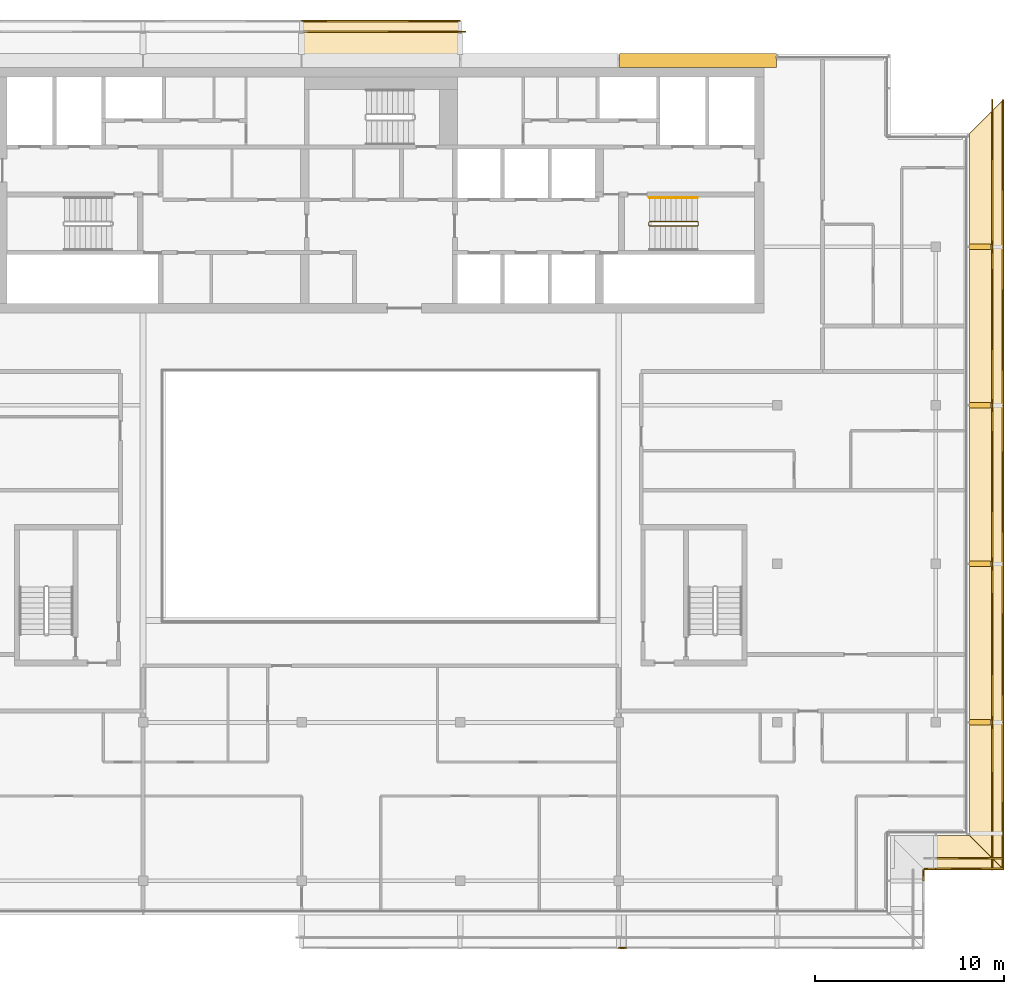
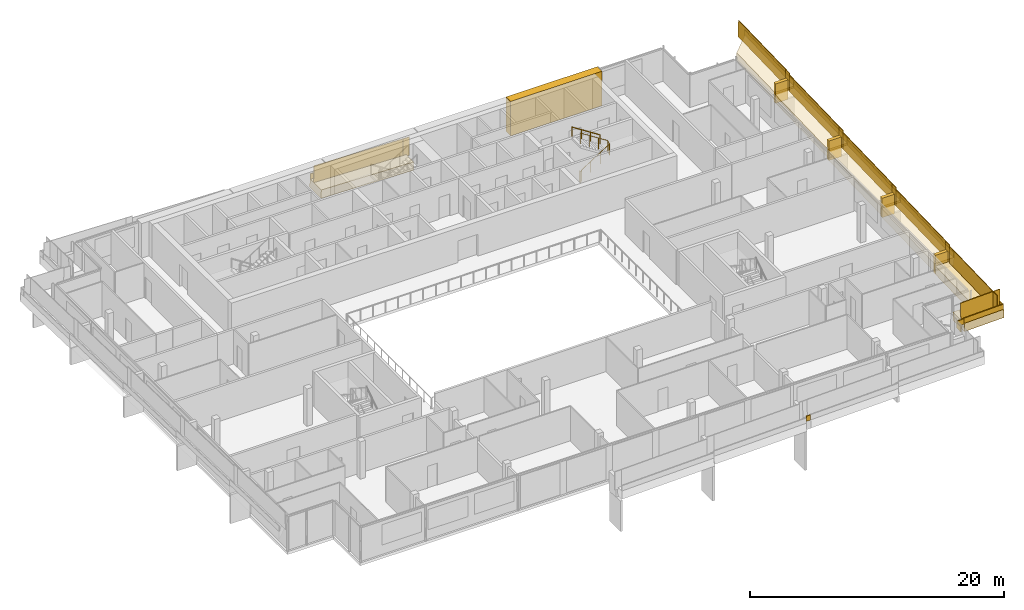
# One storey, part 25 of 26: 22 coverings, 14 railings.
"""IFC4 building model written with IfcOpenShell, lengths in metres."""

from ifc_helpers import new_model, si_unit, direction, frame, origin, origin_2d, place, context, subcontext, project, spatial, polyline, rectangle, circle, outline, extrude, material, layer, layer_set, type_object, element, save


model = new_model("IFC4")

# Units and contexts
model_context = context("Model", 3, precision=1e-05, world=origin(), true_north=direction((0.0, 1.0)))
body_context = subcontext(model_context, "Body", "Model", "MODEL_VIEW")
ifc_project = project(units=[si_unit("LENGTHUNIT", "METRE"), si_unit("AREAUNIT", "SQUARE_METRE"), si_unit("VOLUMEUNIT", "CUBIC_METRE"), si_unit("PLANEANGLEUNIT", "RADIAN"), si_unit("MASSUNIT", "GRAM", prefix="KILO")], contexts=[model_context])

# Site, building, storey
site_placement = place(None, origin())
site = spatial("IfcSite", under=ifc_project, at=site_placement, CompositionType="ELEMENT")
building_placement = place(site_placement, origin())
building = spatial("IfcBuilding", under=site, at=building_placement, Name="Saffron Gate Tower", CompositionType="ELEMENT")
storey_placement = place(building_placement, frame((0.0, 0.0, 277.949951171875)))
storey = spatial("IfcBuildingStorey", under=building, at=storey_placement, Name="L67", CompositionType="ELEMENT", Elevation=277.949951171875)

# Covering
ifc_material_1 = material(Name="Ceramic-printed bronze insulated panel")
ifc_layer_1 = layer(ifc_material_1, 0.739990234375)
ifc_layer_set_1 = layer_set([ifc_layer_1], Name="CLD5 ceramic-printed cladding panel 740")
covering_type_1 = type_object("IfcCoveringType", Name="CLD5 ceramic-printed cladding panel 740", PredefinedType="CLADDING", material=ifc_layer_set_1)
covering_1_placement = place(storey_placement, origin())
element("IfcCovering", 1, at=covering_1_placement, inside=storey, type_object=covering_type_1, Name="CLADDING ceramic-printed panel", PredefinedType="CLADDING", context=body_context, shape_type="SweptSolid", body=[
    extrude(outline(polyline([(108.56494140625, 75.639892578125), (100.235107421875, 75.639892578125), (100.235107421875, 74.89990234375), (108.56494140625, 74.89990234375), (108.56494140625, 75.639892578125)])), origin(), (0.0, 0.0, 1.0), 3.320068359375),
])

# Railings
ifc_material_2 = material(Name="Stainless steel and laminated glass", Category="steel")
railing_type_1 = type_object("IfcRailingType", Name="CR1 Stair guard 1100", PredefinedType="GUARDRAIL", material=ifc_material_2)
railing_1_placement = place(storey_placement, frame((101.800048828125, 66.699951171875, 0.0)))
element("IfcRailing", 2, at=railing_1_placement, inside=storey, type_object=railing_type_1, Name="L67 ST-B stair guard 1", PredefinedType="GUARDRAIL", context=body_context, shape_type="SweptSolid", body=[
    extrude(circle(Radius=0.02392578125, at=origin_2d()), frame((0.0, 0.0, 1.076171875), z_axis=(0.0, -1.0, 0.0), x_axis=(1.0, 0.0, 0.0)), (0.0, 0.0, 1.0), 0.14990234375),
    extrude(circle(Radius=0.02392578125, at=origin_2d()), frame((0.0, -0.14990234375, 1.076171875), z_axis=(0.258847668887, -0.258847668887, 0.930588936439), x_axis=(0.707106781187, 0.707106781187, 0.0)), (0.0, 0.0, 1.0), 0.193359375),
    extrude(circle(Radius=0.02392578125, at=origin_2d()), frame((0.050048828125, -0.199951171875, 1.255859375), z_axis=(0.841162588446, 0.0, 0.540782303519), x_axis=(0.0, 1.0, 0.0)), (0.0, 0.0, 1.0), 2.995849609375),
    extrude(circle(Radius=0.02392578125, at=origin_2d()), frame((2.570068359375, -0.199951171875, 2.8759765625), z_axis=(0.705375805398, 0.708833529934, 0.0), x_axis=(-0.708833529934, 0.705375805398, 0.0)), (0.0, 0.0, 1.0), 0.070556640625),
    extrude(circle(Radius=0.02392578125, at=origin_2d()), frame((2.619873046875, -0.14990234375, 2.8759765625), z_axis=(0.0, 1.0, 0.0), x_axis=(-1.0, 0.0, 0.0)), (0.0, 0.0, 1.0), 0.14990234375),
    extrude(circle(Radius=0.02392578125, at=origin_2d()), frame((2.619873046875, 0.0, 2.8759765625), z_axis=(-0.257669022063, 0.258932105505, 0.930892496375), x_axis=(-0.708833529934, -0.705375805398, 0.0)), (0.0, 0.0, 1.0), 0.193359375),
    extrude(circle(Radius=0.02392578125, at=origin_2d()), frame((2.570068359375, 0.050048828125, 3.05615234375), z_axis=(-0.841162588446, 0.0, 0.540782303519), x_axis=(0.0, -1.0, 0.0)), (0.0, 0.0, 1.0), 2.995849609375),
    extrude(circle(Radius=0.02099609375, at=origin_2d()), origin(), (0.0, 0.0, 1.0), 1.052001953125),
    extrude(circle(Radius=0.02099609375, at=origin_2d()), frame((0.0, -0.14990234375, 0.0)), (0.0, 0.0, 1.0), 1.052001953125),
    extrude(circle(Radius=0.02099609375, at=origin_2d()), frame((0.050048828125, -0.199951171875, 0.179931640625)), (0.0, 0.0, 1.0), 1.052001953125),
    extrude(circle(Radius=0.02099609375, at=origin_2d()), frame((0.89013671875, -0.199951171875, 0.719970703125)), (0.0, 0.0, 1.0), 1.052001953125),
    extrude(circle(Radius=0.02099609375, at=origin_2d()), frame((1.72998046875, -0.199951171875, 1.260009765625)), (0.0, 0.0, 1.0), 1.052001953125),
    extrude(circle(Radius=0.02099609375, at=origin_2d()), frame((2.570068359375, -0.199951171875, 1.800048828125)), (0.0, 0.0, 1.0), 1.052001953125),
    extrude(circle(Radius=0.02099609375, at=origin_2d()), frame((2.619873046875, -0.14990234375, 1.800048828125)), (0.0, 0.0, 1.0), 1.052001953125),
    extrude(circle(Radius=0.02099609375, at=origin_2d()), frame((2.619873046875, 0.0, 1.800048828125)), (0.0, 0.0, 1.0), 1.052001953125),
    extrude(circle(Radius=0.02099609375, at=origin_2d()), frame((2.570068359375, 0.050048828125, 1.97998046875)), (0.0, 0.0, 1.0), 1.052001953125),
    extrude(circle(Radius=0.02099609375, at=origin_2d()), frame((1.72998046875, 0.050048828125, 2.52001953125)), (0.0, 0.0, 1.0), 1.052001953125),
    extrude(circle(Radius=0.02099609375, at=origin_2d()), frame((0.89013671875, 0.050048828125, 3.06005859375)), (0.0, 0.0, 1.0), 1.052001953125),
    extrude(circle(Radius=0.02099609375, at=origin_2d()), frame((0.050048828125, 0.050048828125, 3.60009765625)), (0.0, 0.0, 1.0), 1.052001953125),
])
ifc_material_3 = material(Name="Stainless steel", Category="steel")
railing_type_2 = type_object("IfcRailingType", Name="CR2 Stair handrail 900", PredefinedType="HANDRAIL", material=ifc_material_3)
railing_2_placement = place(storey_placement, frame((104.3701171875, 68.0, 1.97998046875)))
element("IfcRailing", 3, at=railing_2_placement, inside=storey, type_object=railing_type_2, Name="L67 ST-B stair handrail 2", PredefinedType="HANDRAIL", context=body_context, shape_type="SweptSolid", body=[
    extrude(circle(Radius=0.02392578125, at=origin_2d()), frame((0.0, 0.0, 0.8759765625), z_axis=(-0.841162588446, 0.0, 0.540782303519), x_axis=(0.0, -1.0, 0.0)), (0.0, 0.0, 1.0), 2.995849609375),
    extrude(circle(Radius=0.02099609375, at=origin_2d()), origin(), (0.0, 0.0, 1.0), 0.851806640625),
    extrude(circle(Radius=0.02099609375, at=origin_2d()), frame((-0.840087890625, 0.0, 0.5400390625)), (0.0, 0.0, 1.0), 0.851806640625),
    extrude(circle(Radius=0.02099609375, at=origin_2d()), frame((-1.679931640625, 0.0, 1.080078125)), (0.0, 0.0, 1.0), 0.851806640625),
    extrude(circle(Radius=0.02099609375, at=origin_2d()), frame((-2.52001953125, 0.0, 1.6201171875)), (0.0, 0.0, 1.0), 0.851806640625),
])

# Coverings
ifc_material_4 = material(Name="Timber, thermally modified ash", Category="wood")
ifc_layer_2 = layer(ifc_material_4, 0.800048828125)
ifc_layer_set_2 = layer_set([ifc_layer_2], Name="LD1 ledge timber")
covering_type_2 = type_object("IfcCoveringType", Name="LD1 ledge timber", PredefinedType="CLADDING", material=ifc_layer_set_2)
covering_2_placement = place(storey_placement, frame((91.800048828125, 75.60009765625, 0.032958984375), z_axis=(0.028790339263, 0.0, 0.999585472266), x_axis=(-0.999585472266, 0.0, 0.028790339263)))
element("IfcCovering", 4, at=covering_2_placement, inside=storey, type_object=covering_type_2, Name="LEDGE", PredefinedType="CLADDING", context=body_context, shape_type="SweptSolid", body=[
    extrude(outline(polyline([(0.0, 0.0), (8.403630022085892, 0.0), (8.403630022085892, -1.7998046875), (0.0, -1.7998046875), (0.0, 0.0)])), origin(), (0.0, 0.0, -1.0), 0.800048828125),
])
covering_3_placement = place(storey_placement, frame((117.0, 34.199951171875, 1.863037109375), z_axis=(-0.028831989003, -4.5191205e-05, 0.999584270769), x_axis=(0.999584271789, 2.041e-09, 0.028831989032)))
element("IfcCovering", 5, at=covering_3_placement, inside=storey, type_object=covering_type_2, Name="LEDGE", PredefinedType="CLADDING", context=body_context, shape_type="SweptSolid", body=[
    extrude(outline(polyline([(0.0, 0.0), (1.8007998167885757, 0.0), (3.6015925908427215, -1.800048837315338), (-3.6746077267916745e-09, -1.80004882628693), (0.0, 0.0)])), origin(), (0.0, 0.0, -1.0), 0.800048828125),
])
covering_4_placement = place(storey_placement, frame((118.800048828125, 34.199951171875, 1.9501953125), z_axis=(-2.391759e-05, -0.028789477025, 0.999585496814), x_axis=(1.72e-10, 0.9995854971, 0.028789477033)))
element("IfcCovering", 6, at=covering_4_placement, inside=storey, type_object=covering_type_2, Name="LEDGE", PredefinedType="CLADDING", context=body_context, shape_type="SweptSolid", body=[
    extrude(outline(polyline([(0.0, 0.0), (6.002489288687248, -8.470329472543003e-22), (6.002489288996045, -1.8000488276101398), (-1.800792782710612, -1.8000488299785034), (0.0, 0.0)])), origin(), (0.0, 0.0, -1.0), 0.800048828125),
])
covering_5_placement = place(storey_placement, frame((118.800048828125, 40.199951171875, 2.24072265625), z_axis=(0.0, -0.028790339263, 0.999585472266), x_axis=(0.0, 0.999585472266, 0.028790339263)))
element("IfcCovering", 7, at=covering_5_placement, inside=storey, type_object=covering_type_2, Name="LEDGE", PredefinedType="CLADDING", context=body_context, shape_type="SweptSolid", body=[
    extrude(outline(polyline([(0.0, 0.0), (8.403630022085892, 0.0), (8.403630022085892, -1.800048828125), (0.0, -1.800048828125), (0.0, 0.0)])), origin(), (0.0, 0.0, -1.0), 0.800048828125),
])
for number, where, z_axis, x_axis, name in (
    (8, (118.800048828125, 48.60009765625, 2.6474609375), (0.0, -0.028791175352, 0.999585448184), (0.0, 0.999585448184, 0.028791175352), "LEDGE"),
    (9, (118.800048828125, 57.0, 3.05419921875), (0.0, -0.028791175352, 0.999585448184), (0.0, 0.999585448184, 0.028791175352), "LEDGE"),
):
    element("IfcCovering", number, at=place(storey_placement, frame(where, z_axis=z_axis, x_axis=x_axis)), inside=storey, type_object=covering_type_2, Name=name, PredefinedType="CLADDING", context=body_context, shape_type="SweptSolid", body=[
        extrude(outline(polyline([(0.0, 0.0), (8.403385982666892, 0.0), (8.403385982666892, -1.800048828125), (0.0, -1.800048828125), (0.0, 0.0)])), origin(), (0.0, 0.0, -1.0), 0.800048828125),
    ])
covering_6_placement = place(storey_placement, frame((118.800048828125, 65.39990234375, 3.4609375), z_axis=(2.391759e-05, -0.028789477025, 0.999585496814), x_axis=(-1.72e-10, 0.9995854971, 0.028789477033)))
element("IfcCovering", 10, at=covering_6_placement, inside=storey, type_object=covering_type_2, Name="LEDGE", PredefinedType="CLADDING", context=body_context, shape_type="SweptSolid", body=[
    extrude(outline(polyline([(0.0, 0.0), (6.002489288687248, 8.470329472543003e-22), (7.80328207139786, -1.8000488299785034), (-3.0879623774719253e-10, -1.8000488276101398), (0.0, 0.0)])), origin(), (0.0, 0.0, -1.0), 0.800048828125),
])
ifc_layer_3 = layer(ifc_material_4, 0.080078125)
ifc_layer_set_3 = layer_set([ifc_layer_3], Name="LD2 ledge planter trough")
covering_type_3 = type_object("IfcCoveringType", Name="LD2 ledge planter trough", PredefinedType="CLADDING", material=ifc_layer_set_3)
covering_7_placement = place(storey_placement, frame((91.800048828125, 77.39990234375, 0.032958984375), z_axis=(0.0, 1.0, 0.0), x_axis=(-0.999585472266, 0.0, 0.028790339263)))
element("IfcCovering", 11, at=covering_7_placement, inside=storey, type_object=covering_type_3, Name="LEDGE planter trough", PredefinedType="CLADDING", context=body_context, shape_type="SweptSolid", body=[
    extrude(outline(polyline([(0.0, 0.0), (8.403630022085892, 0.0), (8.418025191717298, 0.4997927361329725), (0.014395169631405694, 0.4997927361329725), (0.0, 0.0)])), origin(), (0.0, 0.0, -1.0), 0.080078125),
])
covering_8_placement = place(storey_placement, frame((100.199951171875, 28.199951171875, 0.846435546875), z_axis=(0.0, -1.0, 0.0), x_axis=(0.999589096284, 0.0, 0.028664238881)))
element("IfcCovering", 12, at=covering_8_placement, inside=storey, type_object=covering_type_3, Name="LEDGE planter trough", PredefinedType="CLADDING", context=body_context, shape_type="SweptSolid", body=[
    extrude(outline(polyline([(0.0, 0.0), (0.40031097364171886, -1.734723475976807e-18), (0.4146430930820291, 0.4997945481418826), (0.014332119440310242, 0.4997945481418827), (0.0, 0.0)])), origin(), (0.0, 0.0, -1.0), 0.080078125),
])
covering_9_placement = place(storey_placement, frame((116.39990234375, 31.800048828125, 1.630615234375), z_axis=(1.0, 0.0, 0.0), x_axis=(0.0, 0.999582742162, 0.028884971385)))
element("IfcCovering", 13, at=covering_9_placement, inside=storey, type_object=covering_type_3, Name="LEDGE planter trough", PredefinedType="CLADDING", context=body_context, shape_type="SweptSolid", body=[
    extrude(outline(polyline([(0.0, 0.0), (0.6001039136866089, 0.0), (0.614546399379222, 0.4997913710809928), (0.014442485692613144, 0.49979137108099286), (0.0, 0.0)])), origin(), (0.0, 0.0, -1.0), 0.080078125),
])
covering_10_placement = place(storey_placement, frame((116.39990234375, 32.39990234375, 1.798828125), z_axis=(0.0, -1.0, 0.0), x_axis=(0.999583081391, 0.0, 0.028873229772)))
element("IfcCovering", 14, at=covering_10_placement, inside=storey, type_object=covering_type_3, Name="LEDGE planter trough", PredefinedType="CLADDING", context=body_context, shape_type="SweptSolid", body=[
    extrude(outline(polyline([(0.0, 0.0), (0.6003479524834376, -3.469446951953614e-18), (0.6147845673692678, 0.4997915406953566), (0.014436614885830073, 0.4997915406953566), (0.0, 0.0)])), origin(), (0.0, 0.0, -1.0), 0.080078125),
])
covering_11_placement = place(storey_placement, frame((117.0, 32.39990234375, 1.863037109375), z_axis=(0.0, -1.0, 0.0), x_axis=(0.99958492274, 0.0, 0.028809412191)))
element("IfcCovering", 15, at=covering_11_placement, inside=storey, type_object=covering_type_3, Name="LEDGE planter trough", PredefinedType="CLADDING", context=body_context, shape_type="SweptSolid", body=[
    extrude(outline(polyline([(0.0, 0.0), (3.601592595435983, 0.0), (3.6159973015313485, 0.4997924613700232), (0.014404706095365512, 0.4997924613700232), (0.0, 0.0)])), origin(), (0.0, 0.0, -1.0), 0.080078125),
])
covering_12_placement = place(storey_placement, frame((120.60009765625, 32.39990234375, 1.8984375), z_axis=(1.0, 0.0, 0.0), x_axis=(0.0, 0.999585655924, 0.028783962047)))
element("IfcCovering", 16, at=covering_12_placement, inside=storey, type_object=covering_type_3, Name="LEDGE planter trough", PredefinedType="CLADDING", context=body_context, shape_type="SweptSolid", body=[
    extrude(outline(polyline([(0.0, 0.0), (7.803282071825423, 2.7755575615628914e-17), (7.817674052849086, 0.4997928279619612), (0.014391981023662846, 0.4997928279619612), (0.0, 0.0)])), origin(), (0.0, 0.0, -1.0), 0.080078125),
])
covering_13_placement = place(storey_placement, frame((120.60009765625, 40.199951171875, 2.24072265625), z_axis=(1.0, 0.0, 0.0), x_axis=(0.0, 0.999585472266, 0.028790339263)))
element("IfcCovering", 17, at=covering_13_placement, inside=storey, type_object=covering_type_3, Name="LEDGE planter trough", PredefinedType="CLADDING", context=body_context, shape_type="SweptSolid", body=[
    extrude(outline(polyline([(0.0, 0.0), (8.403630022085892, 0.0), (8.418025191717298, 0.4997927361329725), (0.014395169631405694, 0.4997927361329725), (0.0, 0.0)])), origin(), (0.0, 0.0, -1.0), 0.080078125),
])
for number, where, z_axis, x_axis, name in (
    (18, (120.60009765625, 48.60009765625, 2.6474609375), (1.0, 0.0, 0.0), (0.0, 0.999585448184, 0.028791175352), "LEDGE planter trough"),
    (19, (120.60009765625, 57.0, 3.05419921875), (1.0, 0.0, 0.0), (0.0, 0.999585448184, 0.028791175352), "LEDGE planter trough"),
):
    element("IfcCovering", number, at=place(storey_placement, frame(where, z_axis=z_axis, x_axis=x_axis)), inside=storey, type_object=covering_type_3, Name=name, PredefinedType="CLADDING", context=body_context, shape_type="SweptSolid", body=[
        extrude(outline(polyline([(0.0, 0.0), (8.403385982666892, 0.0), (8.417781570342743, 0.49979272409216496), (0.014395587675851172, 0.4997927240921649), (0.0, 0.0)])), origin(), (0.0, 0.0, -1.0), 0.080078125),
    ])
covering_14_placement = place(storey_placement, frame((120.60009765625, 65.39990234375, 3.4609375), z_axis=(1.0, 0.0, 0.0), x_axis=(0.0, 0.999585655924, 0.028783962047)))
element("IfcCovering", 20, at=covering_14_placement, inside=storey, type_object=covering_type_3, Name="LEDGE planter trough", PredefinedType="CLADDING", context=body_context, shape_type="SweptSolid", body=[
    extrude(outline(polyline([(0.0, 0.0), (7.803282071825423, 2.7755575615628914e-17), (7.817674052849086, 0.4997928279619612), (0.014391981023662846, 0.4997928279619612), (0.0, 0.0)])), origin(), (0.0, 0.0, -1.0), 0.080078125),
])
ifc_layer_4 = layer(ifc_material_4, 0.300048828125)
ifc_layer_set_4 = layer_set([ifc_layer_4], Name="LD3 ledge riser fin")
covering_type_4 = type_object("IfcCoveringType", Name="LD3 ledge riser fin", PredefinedType="CLADDING", material=ifc_layer_set_4)
covering_15_placement = place(storey_placement, frame((119.360107421875, 40.199951171875, 1.3232421875), z_axis=(0.0, 0.0, 1.0), x_axis=(0.0, 1.0, 0.0)))
element("IfcCovering", 21, at=covering_15_placement, inside=storey, type_object=covering_type_4, Name="LEDGE riser fin", PredefinedType="CLADDING", context=body_context, shape_type="SweptSolid", body=[
    extrude(rectangle(XDim=0.300048828125, YDim=1.1201171875, at=origin_2d()), origin(), (0.0, 0.0, 1.0), 1.817626953125),
])
for number, where, z_axis, x_axis, name in (
    (22, (119.360107421875, 48.60009765625, 1.6826171875), (0.0, 0.0, 1.0), (0.0, 1.0, 0.0), "LEDGE riser fin"),
    (23, (119.360107421875, 57.0, 2.08935546875), (0.0, 0.0, 1.0), (0.0, 1.0, 0.0), "LEDGE riser fin"),
    (24, (119.360107421875, 65.39990234375, 2.49609375), (0.0, 0.0, 1.0), (0.0, 1.0, 0.0), "LEDGE riser fin"),
):
    element("IfcCovering", number, at=place(storey_placement, frame(where, z_axis=z_axis, x_axis=x_axis)), inside=storey, type_object=covering_type_4, Name=name, PredefinedType="CLADDING", context=body_context, shape_type="SweptSolid", body=[
        extrude(rectangle(XDim=0.300048828125, YDim=1.1201171875, at=origin_2d()), origin(), (0.0, 0.0, 1.0), 1.86474609375),
    ])

# Railings
railing_type_3 = type_object("IfcRailingType", Name="LG1 ledge balustrade", PredefinedType="BALUSTRADE", material=ifc_material_4)
railing_3_placement = place(storey_placement, frame((91.800048828125, 76.800048828125, 0.032958984375)))
element("IfcRailing", 25, at=railing_3_placement, inside=storey, type_object=railing_type_3, Name="LEDGE BALUSTRADE", PredefinedType="BALUSTRADE", context=body_context, shape_type="SweptSolid", body=[
    extrude(rectangle(XDim=0.06005859375, YDim=1.60009765625, at=origin_2d()), frame((0.0, 0.0, 0.800048828125), z_axis=(-0.999585472266, 0.0, 0.028790339263), x_axis=(0.0, -1.0, 0.0)), (0.0, 0.0, 1.0), 8.403564453125),
])
railing_4_placement = place(storey_placement, frame((92.10009765625, 76.800048828125, -0.1318359375)))
element("IfcRailing", 26, at=railing_4_placement, inside=storey, type_object=railing_type_3, Name="LEDGE BALUSTRADE", PredefinedType="BALUSTRADE", context=body_context, shape_type="SweptSolid", body=[
    extrude(rectangle(XDim=0.06005859375, YDim=1.7646484375, at=origin_2d()), frame((0.0, 0.0, 0.88232421875), z_axis=(-1.0, 0.0, 0.0), x_axis=(0.0, -1.0, 0.0)), (0.0, 0.0, 1.0), 0.60009765625),
])
railing_5_placement = place(storey_placement, frame((117.0, 33.0, 1.863037109375)))
element("IfcRailing", 27, at=railing_5_placement, inside=storey, type_object=railing_type_3, Name="LEDGE BALUSTRADE", PredefinedType="BALUSTRADE", context=body_context, shape_type="SweptSolid", body=[
    extrude(rectangle(XDim=0.06005859375, YDim=1.60009765625, at=origin_2d()), frame((0.0, 0.0, 0.800048828125), z_axis=(0.99958492274, 0.0, 0.028809412191), x_axis=(0.0, 1.0, 0.0)), (0.0, 0.0, 1.0), 3.6015625),
])
railing_6_placement = place(storey_placement, frame((120.0, 32.39990234375, 1.8984375)))
element("IfcRailing", 28, at=railing_6_placement, inside=storey, type_object=railing_type_3, Name="LEDGE BALUSTRADE", PredefinedType="BALUSTRADE", context=body_context, shape_type="SweptSolid", body=[
    extrude(rectangle(XDim=0.06005859375, YDim=1.60009765625, at=origin_2d()), frame((0.0, 0.0, 0.800048828125), z_axis=(0.0, 0.999585655924, 0.028783962047), x_axis=(-1.0, 0.0, 0.0)), (0.0, 0.0, 1.0), 7.80322265625),
])
railing_7_placement = place(storey_placement, frame((120.0, 40.199951171875, 2.24072265625)))
element("IfcRailing", 29, at=railing_7_placement, inside=storey, type_object=railing_type_3, Name="LEDGE BALUSTRADE", PredefinedType="BALUSTRADE", context=body_context, shape_type="SweptSolid", body=[
    extrude(rectangle(XDim=0.06005859375, YDim=1.60009765625, at=origin_2d()), frame((0.0, 0.0, 0.800048828125), z_axis=(0.0, 0.999585472266, 0.028790339263), x_axis=(-1.0, 0.0, 0.0)), (0.0, 0.0, 1.0), 8.403564453125),
])
railing_8_placement = place(storey_placement, frame((120.0, 39.89990234375, 2.123046875)))
element("IfcRailing", 30, at=railing_8_placement, inside=storey, type_object=railing_type_3, Name="LEDGE BALUSTRADE", PredefinedType="BALUSTRADE", context=body_context, shape_type="SweptSolid", body=[
    extrude(rectangle(XDim=0.06005859375, YDim=1.7177734375, at=origin_2d()), frame((0.0, 0.0, 0.85888671875), z_axis=(0.0, 1.0, 0.0), x_axis=(-1.0, 0.0, 0.0)), (0.0, 0.0, 1.0), 0.60009765625),
])
railing_9_placement = place(storey_placement, frame((120.0, 48.60009765625, 2.6474609375)))
element("IfcRailing", 31, at=railing_9_placement, inside=storey, type_object=railing_type_3, Name="LEDGE BALUSTRADE", PredefinedType="BALUSTRADE", context=body_context, shape_type="SweptSolid", body=[
    extrude(rectangle(XDim=0.06005859375, YDim=1.60009765625, at=origin_2d()), frame((0.0, 0.0, 0.800048828125), z_axis=(0.0, 0.999585448184, 0.028791175352), x_axis=(-1.0, 0.0, 0.0)), (0.0, 0.0, 1.0), 8.4033203125),
])
railing_10_placement = place(storey_placement, frame((120.0, 48.300048828125, 2.482666015625)))
element("IfcRailing", 32, at=railing_10_placement, inside=storey, type_object=railing_type_3, Name="LEDGE BALUSTRADE", PredefinedType="BALUSTRADE", context=body_context, shape_type="SweptSolid", body=[
    extrude(rectangle(XDim=0.06005859375, YDim=1.7646484375, at=origin_2d()), frame((0.0, 0.0, 0.88232421875), z_axis=(0.0, 1.0, 0.0), x_axis=(-1.0, 0.0, 0.0)), (0.0, 0.0, 1.0), 0.599853515625),
])
railing_11_placement = place(storey_placement, frame((120.0, 57.0, 3.05419921875)))
element("IfcRailing", 33, at=railing_11_placement, inside=storey, type_object=railing_type_3, Name="LEDGE BALUSTRADE", PredefinedType="BALUSTRADE", context=body_context, shape_type="SweptSolid", body=[
    extrude(rectangle(XDim=0.06005859375, YDim=1.60009765625, at=origin_2d()), frame((0.0, 0.0, 0.800048828125), z_axis=(0.0, 0.999585448184, 0.028791175352), x_axis=(-1.0, 0.0, 0.0)), (0.0, 0.0, 1.0), 8.4033203125),
])
railing_12_placement = place(storey_placement, frame((120.0, 56.699951171875, 2.889404296875)))
element("IfcRailing", 34, at=railing_12_placement, inside=storey, type_object=railing_type_3, Name="LEDGE BALUSTRADE", PredefinedType="BALUSTRADE", context=body_context, shape_type="SweptSolid", body=[
    extrude(rectangle(XDim=0.06005859375, YDim=1.7646484375, at=origin_2d()), frame((0.0, 0.0, 0.88232421875), z_axis=(0.0, 1.0, 0.0), x_axis=(-1.0, 0.0, 0.0)), (0.0, 0.0, 1.0), 0.60009765625),
])
railing_13_placement = place(storey_placement, frame((120.0, 65.39990234375, 3.4609375)))
element("IfcRailing", 35, at=railing_13_placement, inside=storey, type_object=railing_type_3, Name="LEDGE BALUSTRADE", PredefinedType="BALUSTRADE", context=body_context, shape_type="SweptSolid", body=[
    extrude(rectangle(XDim=0.06005859375, YDim=1.60009765625, at=origin_2d()), frame((0.0, 0.0, 0.800048828125), z_axis=(0.0, 0.999585655924, 0.028783962047), x_axis=(-1.0, 0.0, 0.0)), (0.0, 0.0, 1.0), 7.80322265625),
])
railing_14_placement = place(storey_placement, frame((120.0, 65.10009765625, 3.296142578125)))
element("IfcRailing", 36, at=railing_14_placement, inside=storey, type_object=railing_type_3, Name="LEDGE BALUSTRADE", PredefinedType="BALUSTRADE", context=body_context, shape_type="SweptSolid", body=[
    extrude(rectangle(XDim=0.06005859375, YDim=1.7646484375, at=origin_2d()), frame((0.0, 0.0, 0.88232421875), z_axis=(0.0, 1.0, 0.0), x_axis=(-1.0, 0.0, 0.0)), (0.0, 0.0, 1.0), 0.599853515625),
])

save(model, "model.ifc")
